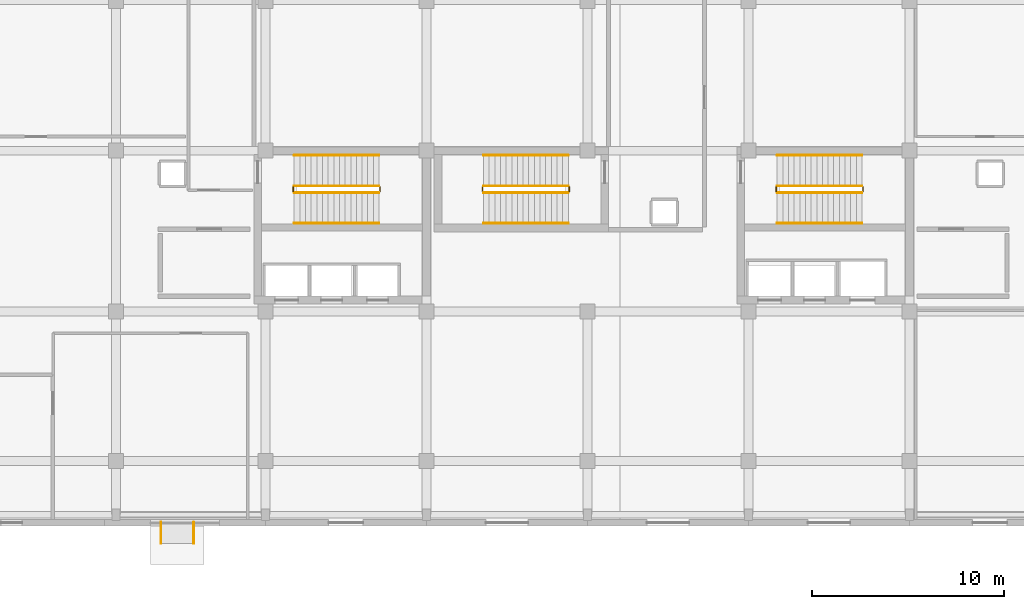
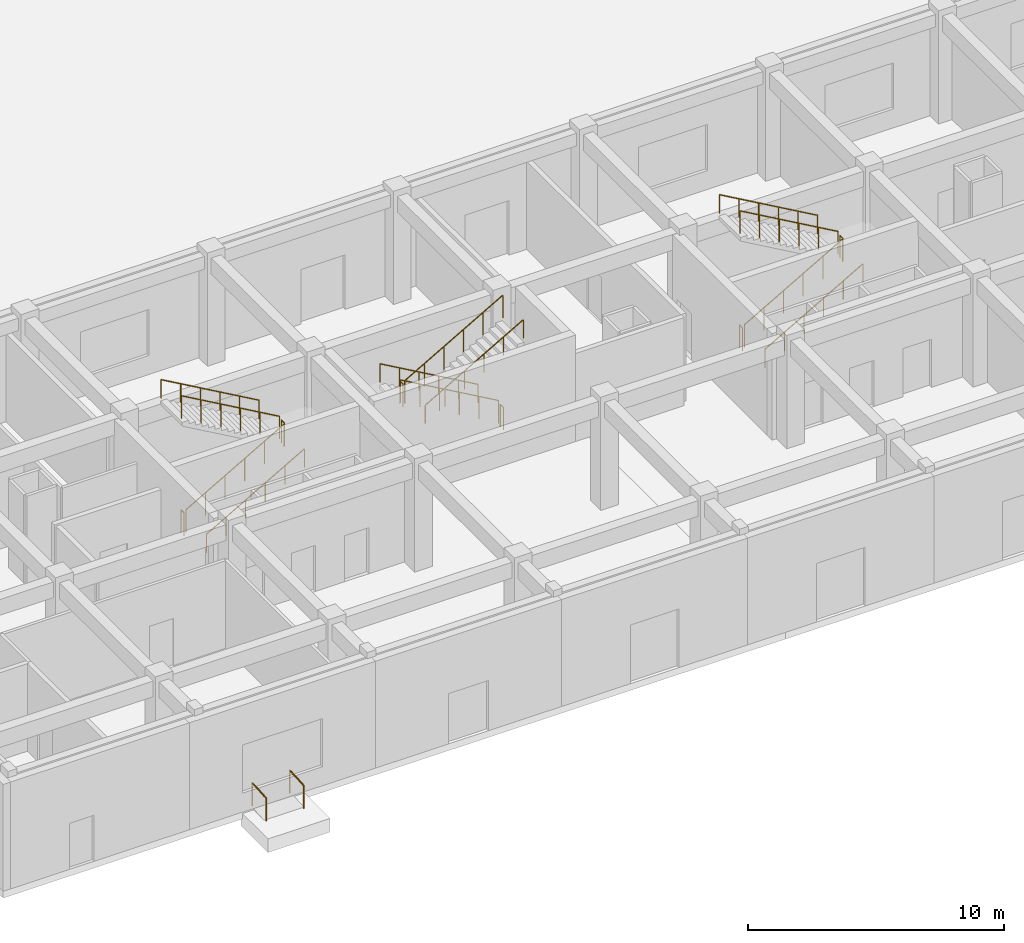
# One storey, part 108 of 122: 20 railings.
"""IFC4 building model written with IfcOpenShell, lengths in metres."""

import ifcopenshell
import ifcopenshell.guid

model = None  # the IFC model being written
_history = None  # IfcOwnerHistory: only IFC2X3 demands one
_inside = {}  # id of a spatial element -> (the spatial element, [elements in it])
_under = {}  # id of a project, library or spatial element -> (it, [spatial elements below it])
_declared = {}  # id of a project -> (the project, [libraries it declares])
_typed = {}  # id of a type object -> (the type object, [elements of that type])
_made_of = {}  # id of a material, layer set ... -> (it, [elements and type objects made of it])


def new_model(schema):
    """Start an empty IFC model of exactly this schema.

    Asked for "IFC4X3", IfcOpenShell would pick the latest addendum, in which some entities
    have other attributes; the version numbers below select the first issue.
    IFC2X3 requires an IfcOwnerHistory on every rooted entity: one is made here for all.
    """
    global model, _history
    if schema == "IFC4X3":
        model = ifcopenshell.file(schema_version=(4, 3, 0, 0))
    else:
        model = ifcopenshell.file(schema=schema)
    _inside.clear()
    _under.clear()
    _declared.clear()
    _typed.clear()
    _made_of.clear()
    _history = None
    if model.schema == "IFC2X3":
        org = make("IfcOrganization", Name="unknown")
        user = make(
            "IfcPersonAndOrganization",
            ThePerson=make("IfcPerson", FamilyName="unknown"),
            TheOrganization=org,
        )
        app = make(
            "IfcApplication",
            ApplicationDeveloper=org,
            Version="unknown",
            ApplicationFullName="unknown",
            ApplicationIdentifier="unknown",
        )
        _history = make(
            "IfcOwnerHistory",
            OwningUser=user,
            OwningApplication=app,
            ChangeAction="ADDED",
            CreationDate=0,
        )
    return model


def make(cls, **values):
    """One entity of the class cls with the attributes given. An attribute that is None is left unset."""
    return model.create_entity(
        cls, **{name: value for name, value in values.items() if value is not None}
    )


def rooted(cls, **values):
    """An entity with a GlobalId (a new one), such as an element, a storey or a relation."""
    return make(cls, GlobalId=ifcopenshell.guid.new(), OwnerHistory=_history, **values)


def si_unit(unit_type, name, prefix=None):
    """IfcSIUnit, for example si_unit("LENGTHUNIT", "METRE", prefix="MILLI")."""
    return make("IfcSIUnit", UnitType=unit_type, Prefix=prefix, Name=name)


def assignment(units):
    """IfcUnitAssignment: the units of a project."""
    return None if units is None else make("IfcUnitAssignment", Units=units)


def point(xyz):
    """IfcCartesianPoint."""
    return None if xyz is None else make("IfcCartesianPoint", Coordinates=xyz)


def direction(xyz):
    """IfcDirection."""
    return None if xyz is None else make("IfcDirection", DirectionRatios=xyz)


def frame(location, z_axis=None, x_axis=None):
    """IfcAxis2Placement3D, a coordinate frame: its origin and axes. An axis left out is left unset."""
    return make(
        "IfcAxis2Placement3D",
        Location=point(location),
        Axis=direction(z_axis),
        RefDirection=direction(x_axis),
    )


def frame_2d(location, x_axis=None):
    """IfcAxis2Placement2D, a coordinate frame in the plane: its origin and x axis."""
    return make(
        "IfcAxis2Placement2D", Location=point(location), RefDirection=direction(x_axis)
    )


def origin():
    """The frame at (0, 0, 0) with its axes left unset."""
    return frame((0.0, 0.0, 0.0))


def origin_2d():
    """The frame at (0, 0) in the plane with its x axis left unset."""
    return frame_2d((0.0, 0.0))


def place(relative_to, where):
    """IfcLocalPlacement: puts the frame where relative to a parent placement (None: the world)."""
    return make(
        "IfcLocalPlacement", PlacementRelTo=relative_to, RelativePlacement=where
    )


def context(
    kind, dimensions, precision=None, world=None, true_north=None, identifier=None
):
    """IfcGeometricRepresentationContext, for example the 3D "Model" context."""
    return make(
        "IfcGeometricRepresentationContext",
        ContextIdentifier=identifier,
        ContextType=kind,
        CoordinateSpaceDimension=dimensions,
        Precision=precision,
        WorldCoordinateSystem=world,
        TrueNorth=true_north,
    )


def subcontext(parent, identifier, kind, view, scale=None):
    """IfcGeometricRepresentationSubContext, for example "Body" below "Model"."""
    return make(
        "IfcGeometricRepresentationSubContext",
        ContextIdentifier=identifier,
        ContextType=kind,
        ParentContext=parent,
        TargetScale=scale,
        TargetView=view,
    )


def project(units=None, contexts=None):
    """IfcProject with its units and contexts."""
    return rooted(
        "IfcProject",
        Name="project",
        RepresentationContexts=contexts,
        UnitsInContext=assignment(units),
    )


def spatial(cls, under=None, at=None, **own):
    """A site, building, storey or space (cls), placed at a placement, below another one or the project."""
    s = rooted(cls, ObjectPlacement=at, **own)
    if under is not None:
        _under.setdefault(under.id(), (under, []))[1].append(s)
    return s


def profile(cls, at=None, kind="AREA", **sizes):
    """A parametric profile (cls). Its sizes go by their IFC names, for example OverallWidth=200.0."""
    return make(cls, ProfileType=kind, Position=at, **sizes)


def circle(**sizes):
    """IfcCircleProfileDef."""
    return profile("IfcCircleProfileDef", **sizes)


def extrude(swept, where, along, depth):
    """IfcExtrudedAreaSolid: the profile swept, set in the frame where, extruded along a direction by depth."""
    return make(
        "IfcExtrudedAreaSolid",
        SweptArea=swept,
        Position=where,
        ExtrudedDirection=direction(along),
        Depth=depth,
    )


def shape(context_of_items, identifier, shape_type, items):
    """IfcShapeRepresentation: the items that make up one representation, for example the "Body"."""
    return make(
        "IfcShapeRepresentation",
        ContextOfItems=context_of_items,
        RepresentationIdentifier=identifier,
        RepresentationType=shape_type,
        Items=items,
    )


def material(Name=None, Category=None):
    """IfcMaterial."""
    return make("IfcMaterial", Name=Name, Category=Category)


def made_of(thing, what):
    """Note that an element or type object is made of a material, layer set ...; save() writes the relation."""
    if what is not None:
        _made_of.setdefault(what.id(), (what, []))[1].append(thing)
    return thing


def type_object(cls, material=None, **own):
    """A type object (cls), such as IfcWallType, which elements share."""
    return made_of(rooted(cls, **own), material)


def element(
    cls,
    number,
    at=None,
    inside=None,
    cuts=None,
    type_object=None,
    material=None,
    context=None,
    identifier="Body",
    shape_type=None,
    held_by="IfcProductDefinitionShape",
    body=None,
    shapes=None,
    **own,
):
    """One element of the class cls, such as IfcWall. Its Tag is "e" and its number.

    at: its placement. inside: the storey or other place that contains it. cuts: it is an
    opening in that element (IfcRelVoidsElement). A single representation is given by context,
    identifier, shape_type and body (its items); several are given by shapes. held_by: the class
    of the entity that holds the representations. save() writes the other relations.
    """
    e = rooted(cls, Tag="e%d" % number, ObjectPlacement=at, **own)
    if body is not None:
        shapes = [shape(context, identifier, shape_type, body)]
    if shapes is not None:
        e.Representation = make(held_by, Representations=shapes)
    if inside is not None:
        _inside.setdefault(inside.id(), (inside, []))[1].append(e)
    if cuts is not None:
        rooted(
            "IfcRelVoidsElement", RelatingBuildingElement=cuts, RelatedOpeningElement=e
        )
    if type_object is not None:
        _typed.setdefault(type_object.id(), (type_object, []))[1].append(e)
    return made_of(e, material)


def aggregate(whole, parts):
    """IfcRelAggregates: a whole, such as a stair, and the parts it consists of."""
    return rooted("IfcRelAggregates", RelatingObject=whole, RelatedObjects=parts)


def save(model, path):
    """Write the relations noted so far, then the file.

    IfcRelAggregates (storeys below a building ...), IfcRelContainedInSpatialStructure (elements
    in a storey), IfcRelDefinesByType, IfcRelAssociatesMaterial and IfcRelDeclares: one each for
    every whole, place, type object, material and project.
    """
    for whole, parts in _under.values():
        aggregate(whole, parts)
    for where, things in _inside.values():
        rooted(
            "IfcRelContainedInSpatialStructure",
            RelatedElements=things,
            RelatingStructure=where,
        )
    for kind, things in _typed.values():
        rooted("IfcRelDefinesByType", RelatedObjects=things, RelatingType=kind)
    for what, things in _made_of.values():
        rooted("IfcRelAssociatesMaterial", RelatedObjects=things, RelatingMaterial=what)
    for by, libraries in _declared.values():
        rooted("IfcRelDeclares", RelatingContext=by, RelatedDefinitions=libraries)
    model.write(path)


model = new_model("IFC4")

# Units and contexts
model_context = context("Model", 3, precision=1e-05, world=origin(), true_north=direction((0.0, 1.0)))
body_context = subcontext(model_context, "Body", "Model", "MODEL_VIEW")
ifc_project = project(units=[si_unit("LENGTHUNIT", "METRE"), si_unit("AREAUNIT", "SQUARE_METRE"), si_unit("VOLUMEUNIT", "CUBIC_METRE"), si_unit("PLANEANGLEUNIT", "RADIAN"), si_unit("MASSUNIT", "GRAM", prefix="KILO")], contexts=[model_context])

# Site, building, storey
site_placement = place(None, origin())
site = spatial("IfcSite", under=ifc_project, at=site_placement, CompositionType="ELEMENT")
building_placement = place(site_placement, origin())
building = spatial("IfcBuilding", under=site, at=building_placement, Name="Zayran Congress Hotel", CompositionType="ELEMENT")
storey_placement = place(building_placement, origin())
storey = spatial("IfcBuildingStorey", under=building, at=storey_placement, Name="L00", CompositionType="ELEMENT", Elevation=0.0)

# Railings
ifc_material_1 = material(Name="Warm bronze anodised aluminium balustrade", Category="aluminium")
railing_type_1 = type_object("IfcRailingType", Name="TP-GRD-EXT", PredefinedType="GUARDRAIL", material=ifc_material_1)
for number, where, name in (
    (1, (21.449951171875, 5.10009765625, -0.070068359375), "HND-RMP-02-L"),
    (2, (19.75, 5.10009765625, -0.070068359375), "HND-RMP-02-R"),
):
    element("IfcRailing", number, at=place(storey_placement, frame(where)), inside=storey, type_object=railing_type_1, Name=name, PredefinedType="GUARDRAIL", context=body_context, shape_type="SweptSolid", body=[
        extrude(circle(Radius=0.02392578125, at=origin_2d()), frame((0.0, 0.0, 1.09619140625), z_axis=(0.0, 0.997976865782, 0.063578104435), x_axis=(-1.0, 0.0, 0.0)), (0.0, 0.0, 1.0), 1.10205078125),
        extrude(circle(Radius=0.02099609375, at=origin_2d()), origin(), (0.0, 0.0, 1.0), 1.072021484375),
        extrude(circle(Radius=0.02099609375, at=origin_2d()), frame((0.0, 1.099853515625, 0.070068359375)), (0.0, 0.0, 1.0), 1.072021484375),
    ])
ifc_material_2 = material(Name="Painted steel balustrade", Category="steel")
railing_type_2 = type_object("IfcRailingType", Name="TP-GRD-INT", PredefinedType="GUARDRAIL", material=ifc_material_2)
railing_1_placement = place(storey_placement, frame((26.699951171875, 23.409912109375, 0.168701171875)))
element("IfcRailing", 3, at=railing_1_placement, inside=storey, type_object=railing_type_2, Name="L00 ST-01 stair guard 1", PredefinedType="GUARDRAIL", context=body_context, shape_type="SweptSolid", body=[
    extrude(circle(Radius=0.02392578125, at=origin_2d()), frame((0.0, 0.0, 1.076171875), z_axis=(0.868019072493, 0.0, 0.49653085482), x_axis=(0.0, 1.0, 0.0)), (0.0, 0.0, 1.0), 5.097900390625),
    extrude(circle(Radius=0.02099609375, at=origin_2d()), origin(), (0.0, 0.0, 1.0), 1.052001953125),
    extrude(circle(Radius=0.02099609375, at=origin_2d()), frame((0.885009765625, 0.0, 0.50634765625)), (0.0, 0.0, 1.0), 1.052001953125),
    extrude(circle(Radius=0.02099609375, at=origin_2d()), frame((1.77001953125, 0.0, 1.012451171875)), (0.0, 0.0, 1.0), 1.052001953125),
    extrude(circle(Radius=0.02099609375, at=origin_2d()), frame((2.655029296875, 0.0, 1.518798828125)), (0.0, 0.0, 1.0), 1.052001953125),
    extrude(circle(Radius=0.02099609375, at=origin_2d()), frame((3.5400390625, 0.0, 2.02490234375)), (0.0, 0.0, 1.0), 1.052001953125),
    extrude(circle(Radius=0.02099609375, at=origin_2d()), frame((4.425048828125, 0.0, 2.53125)), (0.0, 0.0, 1.0), 1.052001953125),
])
railing_2_placement = place(storey_placement, frame((31.175048828125, 23.4599609375, 2.699951171875)))
element("IfcRailing", 4, at=railing_2_placement, inside=storey, type_object=railing_type_2, Name="L00 ST-01 stair guard 2", PredefinedType="GUARDRAIL", context=body_context, shape_type="SweptSolid", body=[
    extrude(circle(Radius=0.02392578125, at=origin_2d()), frame((0.0, 0.0, 1.076171875), z_axis=(0.0, 1.0, 0.0), x_axis=(-1.0, 0.0, 0.0)), (0.0, 0.0, 1.0), 0.239990234375),
    extrude(circle(Radius=0.02099609375, at=origin_2d()), origin(), (0.0, 0.0, 1.0), 1.052001953125),
    extrude(circle(Radius=0.02099609375, at=origin_2d()), frame((0.0, 0.239990234375, 0.0)), (0.0, 0.0, 1.0), 1.052001953125),
])
railing_3_placement = place(storey_placement, frame((31.125, 23.75, 2.86865234375)))
element("IfcRailing", 5, at=railing_3_placement, inside=storey, type_object=railing_type_2, Name="L00 ST-01 stair guard 3", PredefinedType="GUARDRAIL", context=body_context, shape_type="SweptSolid", body=[
    extrude(circle(Radius=0.02392578125, at=origin_2d()), frame((0.0, 0.0, 1.076171875), z_axis=(-0.868019072493, 0.0, 0.49653085482), x_axis=(0.0, -1.0, 0.0)), (0.0, 0.0, 1.0), 5.097900390625),
    extrude(circle(Radius=0.02099609375, at=origin_2d()), origin(), (0.0, 0.0, 1.0), 1.052001953125),
    extrude(circle(Radius=0.02099609375, at=origin_2d()), frame((-0.885009765625, 0.0, 0.50634765625)), (0.0, 0.0, 1.0), 1.052001953125),
    extrude(circle(Radius=0.02099609375, at=origin_2d()), frame((-1.77001953125, 0.0, 1.012451171875)), (0.0, 0.0, 1.0), 1.052001953125),
    extrude(circle(Radius=0.02099609375, at=origin_2d()), frame((-2.655029296875, 0.0, 1.518798828125)), (0.0, 0.0, 1.0), 1.052001953125),
    extrude(circle(Radius=0.02099609375, at=origin_2d()), frame((-3.5400390625, 0.0, 2.02490234375)), (0.0, 0.0, 1.0), 1.052001953125),
    extrude(circle(Radius=0.02099609375, at=origin_2d()), frame((-4.425048828125, 0.0, 2.53125)), (0.0, 0.0, 1.0), 1.052001953125),
])
railing_4_placement = place(storey_placement, frame((26.64990234375, 23.4599609375, 0.0)))
element("IfcRailing", 6, at=railing_4_placement, inside=storey, type_object=railing_type_2, Name="L00 ST-01 stair guard 4", PredefinedType="GUARDRAIL", context=body_context, shape_type="SweptSolid", body=[
    extrude(circle(Radius=0.02392578125, at=origin_2d()), frame((0.0, 0.0, 1.076171875), z_axis=(0.0, 1.0, 0.0), x_axis=(-1.0, 0.0, 0.0)), (0.0, 0.0, 1.0), 0.239990234375),
    extrude(circle(Radius=0.02099609375, at=origin_2d()), origin(), (0.0, 0.0, 1.0), 1.052001953125),
    extrude(circle(Radius=0.02099609375, at=origin_2d()), frame((0.0, 0.239990234375, 0.0)), (0.0, 0.0, 1.0), 1.052001953125),
])
railing_5_placement = place(storey_placement, frame((51.89990234375, 23.409912109375, 0.168701171875)))
element("IfcRailing", 7, at=railing_5_placement, inside=storey, type_object=railing_type_2, Name="L00 ST-02 stair guard 1", PredefinedType="GUARDRAIL", context=body_context, shape_type="SweptSolid", body=[
    extrude(circle(Radius=0.02392578125, at=origin_2d()), frame((0.0, 0.0, 1.076171875), z_axis=(0.868019072493, 0.0, 0.49653085482), x_axis=(0.0, 1.0, 0.0)), (0.0, 0.0, 1.0), 5.097900390625),
    extrude(circle(Radius=0.02099609375, at=origin_2d()), origin(), (0.0, 0.0, 1.0), 1.052001953125),
    extrude(circle(Radius=0.02099609375, at=origin_2d()), frame((0.885009765625, 0.0, 0.50634765625)), (0.0, 0.0, 1.0), 1.052001953125),
    extrude(circle(Radius=0.02099609375, at=origin_2d()), frame((1.77001953125, 0.0, 1.012451171875)), (0.0, 0.0, 1.0), 1.052001953125),
    extrude(circle(Radius=0.02099609375, at=origin_2d()), frame((2.655029296875, 0.0, 1.518798828125)), (0.0, 0.0, 1.0), 1.052001953125),
    extrude(circle(Radius=0.02099609375, at=origin_2d()), frame((3.5400390625, 0.0, 2.02490234375)), (0.0, 0.0, 1.0), 1.052001953125),
    extrude(circle(Radius=0.02099609375, at=origin_2d()), frame((4.425048828125, 0.0, 2.53125)), (0.0, 0.0, 1.0), 1.052001953125),
])
railing_6_placement = place(storey_placement, frame((56.375, 23.4599609375, 2.699951171875)))
element("IfcRailing", 8, at=railing_6_placement, inside=storey, type_object=railing_type_2, Name="L00 ST-02 stair guard 2", PredefinedType="GUARDRAIL", context=body_context, shape_type="SweptSolid", body=[
    extrude(circle(Radius=0.02392578125, at=origin_2d()), frame((0.0, 0.0, 1.076171875), z_axis=(0.0, 1.0, 0.0), x_axis=(-1.0, 0.0, 0.0)), (0.0, 0.0, 1.0), 0.239990234375),
    extrude(circle(Radius=0.02099609375, at=origin_2d()), origin(), (0.0, 0.0, 1.0), 1.052001953125),
    extrude(circle(Radius=0.02099609375, at=origin_2d()), frame((0.0, 0.239990234375, 0.0)), (0.0, 0.0, 1.0), 1.052001953125),
])
railing_7_placement = place(storey_placement, frame((56.324951171875, 23.75, 2.86865234375)))
element("IfcRailing", 9, at=railing_7_placement, inside=storey, type_object=railing_type_2, Name="L00 ST-02 stair guard 3", PredefinedType="GUARDRAIL", context=body_context, shape_type="SweptSolid", body=[
    extrude(circle(Radius=0.02392578125, at=origin_2d()), frame((0.0, 0.0, 1.076171875), z_axis=(-0.868019072493, 0.0, 0.49653085482), x_axis=(0.0, -1.0, 0.0)), (0.0, 0.0, 1.0), 5.097900390625),
    extrude(circle(Radius=0.02099609375, at=origin_2d()), origin(), (0.0, 0.0, 1.0), 1.052001953125),
    extrude(circle(Radius=0.02099609375, at=origin_2d()), frame((-0.885009765625, 0.0, 0.50634765625)), (0.0, 0.0, 1.0), 1.052001953125),
    extrude(circle(Radius=0.02099609375, at=origin_2d()), frame((-1.77001953125, 0.0, 1.012451171875)), (0.0, 0.0, 1.0), 1.052001953125),
    extrude(circle(Radius=0.02099609375, at=origin_2d()), frame((-2.655029296875, 0.0, 1.518798828125)), (0.0, 0.0, 1.0), 1.052001953125),
    extrude(circle(Radius=0.02099609375, at=origin_2d()), frame((-3.5400390625, 0.0, 2.02490234375)), (0.0, 0.0, 1.0), 1.052001953125),
    extrude(circle(Radius=0.02099609375, at=origin_2d()), frame((-4.425048828125, 0.0, 2.53125)), (0.0, 0.0, 1.0), 1.052001953125),
])
railing_8_placement = place(storey_placement, frame((51.85009765625, 23.4599609375, 0.0)))
element("IfcRailing", 10, at=railing_8_placement, inside=storey, type_object=railing_type_2, Name="L00 ST-02 stair guard 4", PredefinedType="GUARDRAIL", context=body_context, shape_type="SweptSolid", body=[
    extrude(circle(Radius=0.02392578125, at=origin_2d()), frame((0.0, 0.0, 1.076171875), z_axis=(0.0, 1.0, 0.0), x_axis=(-1.0, 0.0, 0.0)), (0.0, 0.0, 1.0), 0.239990234375),
    extrude(circle(Radius=0.02099609375, at=origin_2d()), origin(), (0.0, 0.0, 1.0), 1.052001953125),
    extrude(circle(Radius=0.02099609375, at=origin_2d()), frame((0.0, 0.239990234375, 0.0)), (0.0, 0.0, 1.0), 1.052001953125),
])
railing_9_placement = place(storey_placement, frame((41.0, 23.75, 0.168701171875)))
element("IfcRailing", 11, at=railing_9_placement, inside=storey, type_object=railing_type_2, Name="L00 ST-13 stair guard 1", PredefinedType="GUARDRAIL", context=body_context, shape_type="SweptSolid", body=[
    extrude(circle(Radius=0.02392578125, at=origin_2d()), frame((0.0, 0.0, 1.076171875), z_axis=(-0.868019072493, 0.0, 0.49653085482), x_axis=(0.0, -1.0, 0.0)), (0.0, 0.0, 1.0), 5.097900390625),
    extrude(circle(Radius=0.02099609375, at=origin_2d()), origin(), (0.0, 0.0, 1.0), 1.052001953125),
    extrude(circle(Radius=0.02099609375, at=origin_2d()), frame((-0.885009765625, 0.0, 0.50634765625)), (0.0, 0.0, 1.0), 1.052001953125),
    extrude(circle(Radius=0.02099609375, at=origin_2d()), frame((-1.77001953125, 0.0, 1.012451171875)), (0.0, 0.0, 1.0), 1.052001953125),
    extrude(circle(Radius=0.02099609375, at=origin_2d()), frame((-2.655029296875, 0.0, 1.518798828125)), (0.0, 0.0, 1.0), 1.052001953125),
    extrude(circle(Radius=0.02099609375, at=origin_2d()), frame((-3.5400390625, 0.0, 2.02490234375)), (0.0, 0.0, 1.0), 1.052001953125),
    extrude(circle(Radius=0.02099609375, at=origin_2d()), frame((-4.425048828125, 0.0, 2.53125)), (0.0, 0.0, 1.0), 1.052001953125),
])
railing_10_placement = place(storey_placement, frame((36.52490234375, 23.699951171875, 2.699951171875)))
element("IfcRailing", 12, at=railing_10_placement, inside=storey, type_object=railing_type_2, Name="L00 ST-13 stair guard 2", PredefinedType="GUARDRAIL", context=body_context, shape_type="SweptSolid", body=[
    extrude(circle(Radius=0.02392578125, at=origin_2d()), frame((0.0, 0.0, 1.076171875), z_axis=(0.0, -1.0, 0.0), x_axis=(1.0, 0.0, 0.0)), (0.0, 0.0, 1.0), 0.239990234375),
    extrude(circle(Radius=0.02099609375, at=origin_2d()), origin(), (0.0, 0.0, 1.0), 1.052001953125),
    extrude(circle(Radius=0.02099609375, at=origin_2d()), frame((0.0, -0.239990234375, 0.0)), (0.0, 0.0, 1.0), 1.052001953125),
])
railing_11_placement = place(storey_placement, frame((36.574951171875, 23.409912109375, 2.86865234375)))
element("IfcRailing", 13, at=railing_11_placement, inside=storey, type_object=railing_type_2, Name="L00 ST-13 stair guard 3", PredefinedType="GUARDRAIL", context=body_context, shape_type="SweptSolid", body=[
    extrude(circle(Radius=0.02392578125, at=origin_2d()), frame((0.0, 0.0, 1.076171875), z_axis=(0.868019072493, 0.0, 0.49653085482), x_axis=(0.0, 1.0, 0.0)), (0.0, 0.0, 1.0), 5.097900390625),
    extrude(circle(Radius=0.02099609375, at=origin_2d()), origin(), (0.0, 0.0, 1.0), 1.052001953125),
    extrude(circle(Radius=0.02099609375, at=origin_2d()), frame((0.885009765625, 0.0, 0.50634765625)), (0.0, 0.0, 1.0), 1.052001953125),
    extrude(circle(Radius=0.02099609375, at=origin_2d()), frame((1.77001953125, 0.0, 1.012451171875)), (0.0, 0.0, 1.0), 1.052001953125),
    extrude(circle(Radius=0.02099609375, at=origin_2d()), frame((2.655029296875, 0.0, 1.518798828125)), (0.0, 0.0, 1.0), 1.052001953125),
    extrude(circle(Radius=0.02099609375, at=origin_2d()), frame((3.5400390625, 0.0, 2.02490234375)), (0.0, 0.0, 1.0), 1.052001953125),
    extrude(circle(Radius=0.02099609375, at=origin_2d()), frame((4.425048828125, 0.0, 2.53125)), (0.0, 0.0, 1.0), 1.052001953125),
])
railing_12_placement = place(storey_placement, frame((41.050048828125, 23.699951171875, 0.0)))
element("IfcRailing", 14, at=railing_12_placement, inside=storey, type_object=railing_type_2, Name="L00 ST-13 stair guard 4", PredefinedType="GUARDRAIL", context=body_context, shape_type="SweptSolid", body=[
    extrude(circle(Radius=0.02392578125, at=origin_2d()), frame((0.0, 0.0, 1.076171875), z_axis=(0.0, -1.0, 0.0), x_axis=(1.0, 0.0, 0.0)), (0.0, 0.0, 1.0), 0.239990234375),
    extrude(circle(Radius=0.02099609375, at=origin_2d()), origin(), (0.0, 0.0, 1.0), 1.052001953125),
    extrude(circle(Radius=0.02099609375, at=origin_2d()), frame((0.0, -0.239990234375, 0.0)), (0.0, 0.0, 1.0), 1.052001953125),
])
ifc_material_3 = material(Name="Brushed stainless steel handrail", Category="steel")
railing_type_3 = type_object("IfcRailingType", Name="TP-HND-STR", PredefinedType="HANDRAIL", material=ifc_material_3)
railing_13_placement = place(storey_placement, frame((26.699951171875, 21.81005859375, 0.168701171875)))
element("IfcRailing", 15, at=railing_13_placement, inside=storey, type_object=railing_type_3, Name="L00 ST-01 stair handrail 1", PredefinedType="HANDRAIL", context=body_context, shape_type="SweptSolid", body=[
    extrude(circle(Radius=0.02392578125, at=origin_2d()), frame((0.0, 0.0, 0.8759765625), z_axis=(0.868019072493, 0.0, 0.49653085482), x_axis=(0.0, 1.0, 0.0)), (0.0, 0.0, 1.0), 5.097900390625),
    extrude(circle(Radius=0.02099609375, at=origin_2d()), origin(), (0.0, 0.0, 1.0), 0.851806640625),
    extrude(circle(Radius=0.02099609375, at=origin_2d()), frame((0.885009765625, 0.0, 0.50634765625)), (0.0, 0.0, 1.0), 0.851806640625),
    extrude(circle(Radius=0.02099609375, at=origin_2d()), frame((1.77001953125, 0.0, 1.012451171875)), (0.0, 0.0, 1.0), 0.851806640625),
    extrude(circle(Radius=0.02099609375, at=origin_2d()), frame((2.655029296875, 0.0, 1.518798828125)), (0.0, 0.0, 1.0), 0.851806640625),
    extrude(circle(Radius=0.02099609375, at=origin_2d()), frame((3.5400390625, 0.0, 2.02490234375)), (0.0, 0.0, 1.0), 0.851806640625),
    extrude(circle(Radius=0.02099609375, at=origin_2d()), frame((4.425048828125, 0.0, 2.53125)), (0.0, 0.0, 1.0), 0.851806640625),
])
railing_14_placement = place(storey_placement, frame((31.125, 25.35009765625, 2.86865234375)))
element("IfcRailing", 16, at=railing_14_placement, inside=storey, type_object=railing_type_3, Name="L00 ST-01 stair handrail 2", PredefinedType="HANDRAIL", context=body_context, shape_type="SweptSolid", body=[
    extrude(circle(Radius=0.02392578125, at=origin_2d()), frame((0.0, 0.0, 0.8759765625), z_axis=(-0.868019072493, 0.0, 0.49653085482), x_axis=(0.0, -1.0, 0.0)), (0.0, 0.0, 1.0), 5.097900390625),
    extrude(circle(Radius=0.02099609375, at=origin_2d()), origin(), (0.0, 0.0, 1.0), 0.851806640625),
    extrude(circle(Radius=0.02099609375, at=origin_2d()), frame((-0.885009765625, 0.0, 0.50634765625)), (0.0, 0.0, 1.0), 0.851806640625),
    extrude(circle(Radius=0.02099609375, at=origin_2d()), frame((-1.77001953125, 0.0, 1.012451171875)), (0.0, 0.0, 1.0), 0.851806640625),
    extrude(circle(Radius=0.02099609375, at=origin_2d()), frame((-2.655029296875, 0.0, 1.518798828125)), (0.0, 0.0, 1.0), 0.851806640625),
    extrude(circle(Radius=0.02099609375, at=origin_2d()), frame((-3.5400390625, 0.0, 2.02490234375)), (0.0, 0.0, 1.0), 0.851806640625),
    extrude(circle(Radius=0.02099609375, at=origin_2d()), frame((-4.425048828125, 0.0, 2.53125)), (0.0, 0.0, 1.0), 0.851806640625),
])
railing_15_placement = place(storey_placement, frame((51.89990234375, 21.81005859375, 0.168701171875)))
element("IfcRailing", 17, at=railing_15_placement, inside=storey, type_object=railing_type_3, Name="L00 ST-02 stair handrail 1", PredefinedType="HANDRAIL", context=body_context, shape_type="SweptSolid", body=[
    extrude(circle(Radius=0.02392578125, at=origin_2d()), frame((0.0, 0.0, 0.8759765625), z_axis=(0.868019072493, 0.0, 0.49653085482), x_axis=(0.0, 1.0, 0.0)), (0.0, 0.0, 1.0), 5.097900390625),
    extrude(circle(Radius=0.02099609375, at=origin_2d()), origin(), (0.0, 0.0, 1.0), 0.851806640625),
    extrude(circle(Radius=0.02099609375, at=origin_2d()), frame((0.885009765625, 0.0, 0.50634765625)), (0.0, 0.0, 1.0), 0.851806640625),
    extrude(circle(Radius=0.02099609375, at=origin_2d()), frame((1.77001953125, 0.0, 1.012451171875)), (0.0, 0.0, 1.0), 0.851806640625),
    extrude(circle(Radius=0.02099609375, at=origin_2d()), frame((2.655029296875, 0.0, 1.518798828125)), (0.0, 0.0, 1.0), 0.851806640625),
    extrude(circle(Radius=0.02099609375, at=origin_2d()), frame((3.5400390625, 0.0, 2.02490234375)), (0.0, 0.0, 1.0), 0.851806640625),
    extrude(circle(Radius=0.02099609375, at=origin_2d()), frame((4.425048828125, 0.0, 2.53125)), (0.0, 0.0, 1.0), 0.851806640625),
])
for number, where, name in (
    (18, (56.324951171875, 25.35009765625, 2.86865234375), "L00 ST-02 stair handrail 2"),
    (19, (41.0, 25.35009765625, 0.168701171875), "L00 ST-13 stair handrail 1"),
):
    element("IfcRailing", number, at=place(storey_placement, frame(where)), inside=storey, type_object=railing_type_3, Name=name, PredefinedType="HANDRAIL", context=body_context, shape_type="SweptSolid", body=[
        extrude(circle(Radius=0.02392578125, at=origin_2d()), frame((0.0, 0.0, 0.8759765625), z_axis=(-0.868019072493, 0.0, 0.49653085482), x_axis=(0.0, -1.0, 0.0)), (0.0, 0.0, 1.0), 5.097900390625),
        extrude(circle(Radius=0.02099609375, at=origin_2d()), origin(), (0.0, 0.0, 1.0), 0.851806640625),
        extrude(circle(Radius=0.02099609375, at=origin_2d()), frame((-0.885009765625, 0.0, 0.50634765625)), (0.0, 0.0, 1.0), 0.851806640625),
        extrude(circle(Radius=0.02099609375, at=origin_2d()), frame((-1.77001953125, 0.0, 1.012451171875)), (0.0, 0.0, 1.0), 0.851806640625),
        extrude(circle(Radius=0.02099609375, at=origin_2d()), frame((-2.655029296875, 0.0, 1.518798828125)), (0.0, 0.0, 1.0), 0.851806640625),
        extrude(circle(Radius=0.02099609375, at=origin_2d()), frame((-3.5400390625, 0.0, 2.02490234375)), (0.0, 0.0, 1.0), 0.851806640625),
        extrude(circle(Radius=0.02099609375, at=origin_2d()), frame((-4.425048828125, 0.0, 2.53125)), (0.0, 0.0, 1.0), 0.851806640625),
    ])
railing_16_placement = place(storey_placement, frame((36.574951171875, 21.81005859375, 2.86865234375)))
element("IfcRailing", 20, at=railing_16_placement, inside=storey, type_object=railing_type_3, Name="L00 ST-13 stair handrail 2", PredefinedType="HANDRAIL", context=body_context, shape_type="SweptSolid", body=[
    extrude(circle(Radius=0.02392578125, at=origin_2d()), frame((0.0, 0.0, 0.8759765625), z_axis=(0.868019072493, 0.0, 0.49653085482), x_axis=(0.0, 1.0, 0.0)), (0.0, 0.0, 1.0), 5.097900390625),
    extrude(circle(Radius=0.02099609375, at=origin_2d()), origin(), (0.0, 0.0, 1.0), 0.851806640625),
    extrude(circle(Radius=0.02099609375, at=origin_2d()), frame((0.885009765625, 0.0, 0.50634765625)), (0.0, 0.0, 1.0), 0.851806640625),
    extrude(circle(Radius=0.02099609375, at=origin_2d()), frame((1.77001953125, 0.0, 1.012451171875)), (0.0, 0.0, 1.0), 0.851806640625),
    extrude(circle(Radius=0.02099609375, at=origin_2d()), frame((2.655029296875, 0.0, 1.518798828125)), (0.0, 0.0, 1.0), 0.851806640625),
    extrude(circle(Radius=0.02099609375, at=origin_2d()), frame((3.5400390625, 0.0, 2.02490234375)), (0.0, 0.0, 1.0), 0.851806640625),
    extrude(circle(Radius=0.02099609375, at=origin_2d()), frame((4.425048828125, 0.0, 2.53125)), (0.0, 0.0, 1.0), 0.851806640625),
])

save(model, "model.ifc")
